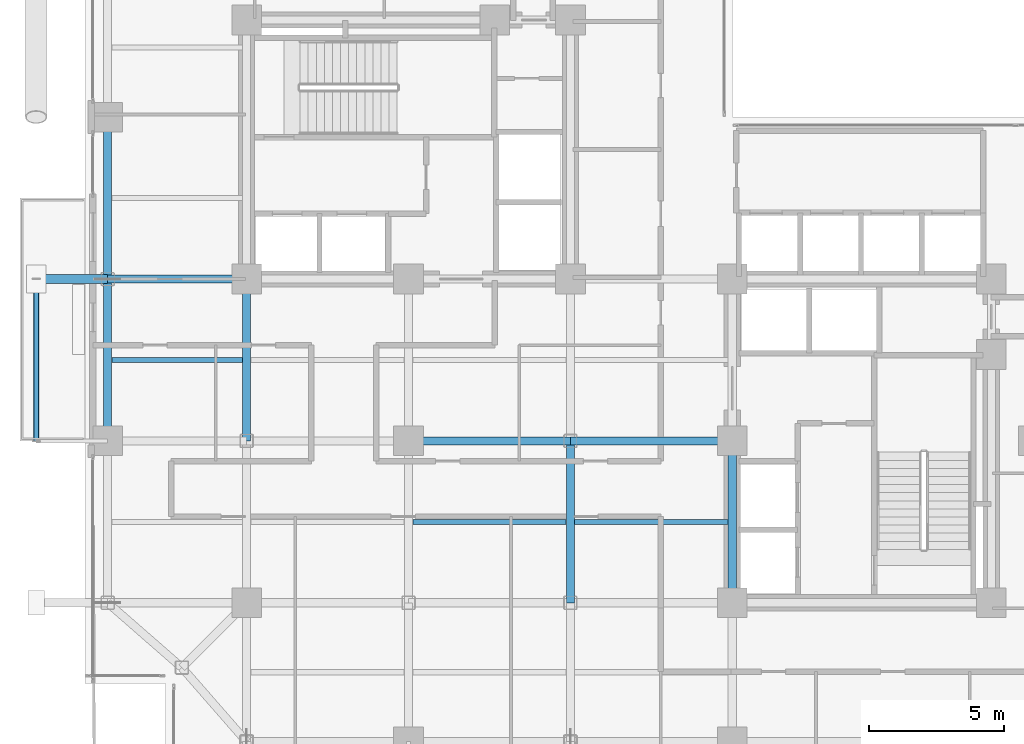
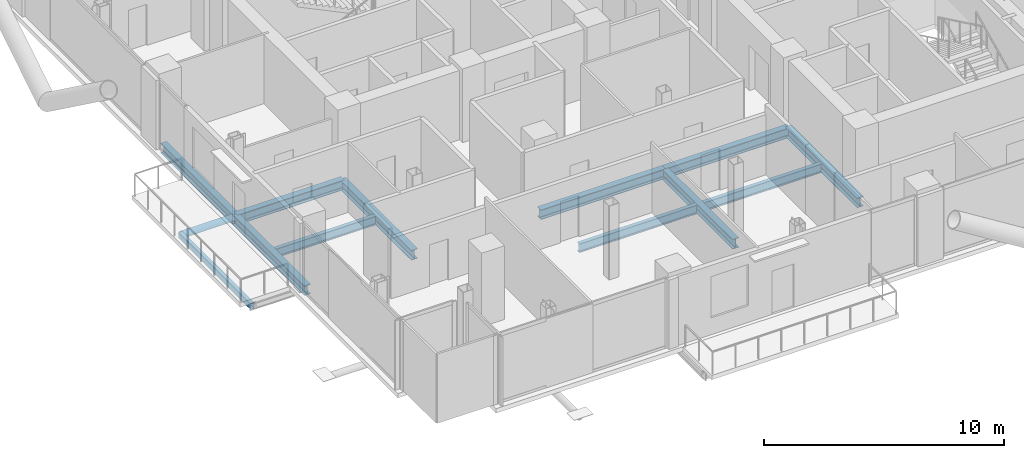
# One storey, part 5 of 24: 12 beams, 1 member.
"""IFC4 building model written with IfcOpenShell, lengths in metres."""

from ifc_helpers import new_model, si_unit, direction, frame, origin, origin_2d, place, context, subcontext, project, spatial, hollow_rectangle, hollow_circle, i_section, extrude, material, material_profile, profile_set, type_object, element, save


model = new_model("IFC4")

# Units and contexts
model_context = context("Model", 3, precision=1e-05, world=origin(), true_north=direction((0.0, 1.0)))
body_context = subcontext(model_context, "Body", "Model", "MODEL_VIEW")
ifc_project = project(units=[si_unit("LENGTHUNIT", "METRE"), si_unit("AREAUNIT", "SQUARE_METRE"), si_unit("VOLUMEUNIT", "CUBIC_METRE"), si_unit("PLANEANGLEUNIT", "RADIAN"), si_unit("MASSUNIT", "GRAM", prefix="KILO"), si_unit("THERMODYNAMICTEMPERATUREUNIT", "KELVIN"), si_unit("POWERUNIT", "WATT")], contexts=[model_context])

# Site, building, storey
site_placement = place(None, origin())
site = spatial("IfcSite", under=ifc_project, at=site_placement, CompositionType="ELEMENT")
building_placement = place(site_placement, origin())
building = spatial("IfcBuilding", under=site, at=building_placement, Name="Svarakhadi Broadcast Tower", CompositionType="ELEMENT")
storey_placement = place(building_placement, frame((0.0, 0.0, 141.89990234375)))
storey = spatial("IfcBuildingStorey", under=building, at=storey_placement, Name="L34", CompositionType="ELEMENT", Elevation=141.89990234375)

# Beams
ifc_material_1 = material(Name="Steel S355J2 (IS 2062 E350C)", Category="steel")
ifc_material_profile_1 = material_profile(ifc_material_1, i_section(OverallWidth=0.18994140625, OverallDepth=0.449951171875, WebThickness=0.009521484375, FlangeThickness=0.0146484375, FilletRadius=0.02099609375, at=origin_2d()), Name="NPB 450x190x78")
ifc_profile_set_1 = profile_set([ifc_material_profile_1], Name="Steel S355J2 (IS 2062 E350C)")
beam_type_1 = type_object("IfcBeamType", Name="Beam_NPB450", PredefinedType="BEAM", material=ifc_profile_set_1)
beam_1_placement = place(storey_placement, frame((1.010009765625, 15.0, -0.449951171875), z_axis=(1.0, 0.0, 0.0), x_axis=(0.0, 1.0, 0.0)))
element("IfcBeam", 1, at=beam_1_placement, inside=storey, type_object=beam_type_1, Name="L34 Secondary Composite Beam SB002", PredefinedType="BEAM", context=body_context, shape_type="SweptSolid", body=[
    extrude(i_section(OverallWidth=0.18994140625, OverallDepth=0.449951171875, WebThickness=0.009521484375, FlangeThickness=0.0146484375, FilletRadius=0.02099609375, at=origin_2d()), origin(), (0.0, 0.0, 1.0), 4.830078125),
])
for number, where, z_axis, x_axis, name in (
    (2, (12.159912109375, 9.0, -0.449951171875), (1.0, 0.0, 0.0), (0.0, 1.0, 0.0), "L34 Secondary Composite Beam SB012"),
    (3, (18.159912109375, 9.0, -0.449951171875), (1.0, 0.0, 0.0), (0.0, 1.0, 0.0), "L34 Secondary Composite Beam SB017"),
):
    element("IfcBeam", number, at=place(storey_placement, frame(where, z_axis=z_axis, x_axis=x_axis)), inside=storey, type_object=beam_type_1, Name=name, PredefinedType="BEAM", context=body_context, shape_type="SweptSolid", body=[
        extrude(i_section(OverallWidth=0.18994140625, OverallDepth=0.449951171875, WebThickness=0.009521484375, FlangeThickness=0.0146484375, FilletRadius=0.02099609375, at=origin_2d()), origin(), (0.0, 0.0, 1.0), 5.68017578125),
    ])

# Member
ifc_material_2 = material(Name="Steel S460ML (IS 2062 E450BR)", Category="steel")
ifc_material_profile_2 = material_profile(ifc_material_2, hollow_circle(Radius=0.161865234375, WallThickness=0.01611328125, at=origin_2d()), Name="CHS 323.9x16")
ifc_profile_set_2 = profile_set([ifc_material_profile_2], Name="Steel S460ML (IS 2062 E450BR)")
member_type = type_object("IfcMemberType", Name="Exo_Radial_Strut_Z2", PredefinedType="STRUT", material=ifc_profile_set_2)
member_placement = place(storey_placement, frame((-1.800048828125, 18.0, -0.386962890625), z_axis=(1.0, 0.0, 0.0), x_axis=(0.0, 1.0, 0.0)))
element("IfcMember", 4, at=member_placement, inside=storey, type_object=member_type, Name="L34 Exoskeleton Radial Tie Strut W06", PredefinedType="STRUT", context=body_context, shape_type="SweptSolid", body=[
    extrude(hollow_circle(Radius=0.161865234375, WallThickness=0.01611328125, at=origin_2d()), origin(), (0.0, 0.0, 1.0), 2.650146484375),
])

# Beams
ifc_material_profile_3 = material_profile(ifc_material_1, i_section(OverallWidth=0.300048828125, OverallDepth=0.5, WebThickness=0.014404296875, FlangeThickness=0.028076171875, FilletRadius=0.027099609375, at=origin_2d()), Name="WPB 500x300x187")
ifc_profile_set_3 = profile_set([ifc_material_profile_3], Name="Steel S355J2 (IS 2062 E350C)")
beam_type_2 = type_object("IfcBeamType", Name="Girder_WPB500", PredefinedType="USERDEFINED", material=ifc_profile_set_3)
for number, where, z_axis, x_axis, name in (
    (5, (12.0, 12.0, -0.474853515625), (1.0, 0.0, 0.0), (0.0, 1.0, 0.0), "L34 Primary E-W Girder G019"),
    (6, (18.0, 12.0, -0.474853515625), (1.0, 0.0, 0.0), (0.0, 1.0, 0.0), "L34 Primary E-W Girder G020"),
):
    element("IfcBeam", number, at=place(storey_placement, frame(where, z_axis=z_axis, x_axis=x_axis)), inside=storey, type_object=beam_type_2, Name=name, ObjectType="GIRDER", PredefinedType="USERDEFINED", context=body_context, shape_type="SweptSolid", body=[
        extrude(i_section(OverallWidth=0.300048828125, OverallDepth=0.5, WebThickness=0.014404296875, FlangeThickness=0.028076171875, FilletRadius=0.027099609375, at=origin_2d()), origin(), (0.0, 0.0, 1.0), 6.0),
    ])
beam_2_placement = place(storey_placement, frame((0.85009765625, 18.0, -0.474853515625), z_axis=(1.0, 0.0, 0.0), x_axis=(0.0, 1.0, 0.0)))
element("IfcBeam", 7, at=beam_2_placement, inside=storey, type_object=beam_type_2, Name="L34 Primary E-W Girder G023", ObjectType="GIRDER", PredefinedType="USERDEFINED", context=body_context, shape_type="SweptSolid", body=[
    extrude(i_section(OverallWidth=0.300048828125, OverallDepth=0.5, WebThickness=0.014404296875, FlangeThickness=0.028076171875, FilletRadius=0.027099609375, at=origin_2d()), origin(), (0.0, 0.0, 1.0), 5.14990234375),
])
for number, where, z_axis, x_axis, name in (
    (8, (0.85009765625, 12.0, -0.474853515625), (0.0, 1.0, 0.0), (-1.0, 0.0, 0.0), "L34 Primary N-S Girder G041"),
    (9, (0.85009765625, 18.0, -0.474853515625), (0.0, 1.0, 0.0), (-1.0, 0.0, 0.0), "L34 Primary N-S Girder G042"),
    (10, (6.0, 12.0, -0.474853515625), (0.0, 1.0, 0.0), (-1.0, 0.0, 0.0), "L34 Primary N-S Girder G047"),
    (11, (18.0, 6.0, -0.474853515625), (0.0, 1.0, 0.0), (-1.0, 0.0, 0.0), "L34 Primary N-S Girder G057"),
    (12, (24.0, 6.0, -0.474853515625), (0.0, 1.0, 0.0), (-1.0, 0.0, 0.0), "L34 Primary N-S Girder G063"),
):
    element("IfcBeam", number, at=place(storey_placement, frame(where, z_axis=z_axis, x_axis=x_axis)), inside=storey, type_object=beam_type_2, Name=name, ObjectType="GIRDER", PredefinedType="USERDEFINED", context=body_context, shape_type="SweptSolid", body=[
        extrude(i_section(OverallWidth=0.300048828125, OverallDepth=0.5, WebThickness=0.014404296875, FlangeThickness=0.028076171875, FilletRadius=0.027099609375, at=origin_2d()), origin(), (0.0, 0.0, 1.0), 6.0),
    ])
ifc_material_profile_4 = material_profile(ifc_material_2, hollow_rectangle(XDim=0.199951171875, YDim=0.300048828125, WallThickness=0.012451171875, InnerFilletRadius=0.012451171875, OuterFilletRadius=0.02490234375, at=origin_2d()), Name="RHS 300x200x12.5")
ifc_profile_set_4 = profile_set([ifc_material_profile_4], Name="Steel S460ML (IS 2062 E450BR)")
beam_type_3 = type_object("IfcBeamType", Name="Spandrel_RHS300", PredefinedType="SPANDREL", material=ifc_profile_set_4)
beam_3_placement = place(storey_placement, frame((-1.800048828125, 12.0, -0.375), z_axis=(0.0, 1.0, 0.0), x_axis=(-1.0, 0.0, 0.0)))
element("IfcBeam", 13, at=beam_3_placement, inside=storey, type_object=beam_type_3, Name="L34 Balcony Outer Spandrel 2F", PredefinedType="SPANDREL", context=body_context, shape_type="SweptSolid", body=[
    extrude(hollow_rectangle(XDim=0.199951171875, YDim=0.300048828125, WallThickness=0.012451171875, InnerFilletRadius=0.012451171875, OuterFilletRadius=0.02490234375, at=origin_2d()), origin(), (0.0, 0.0, 1.0), 6.0),
])

save(model, "model.ifc")
